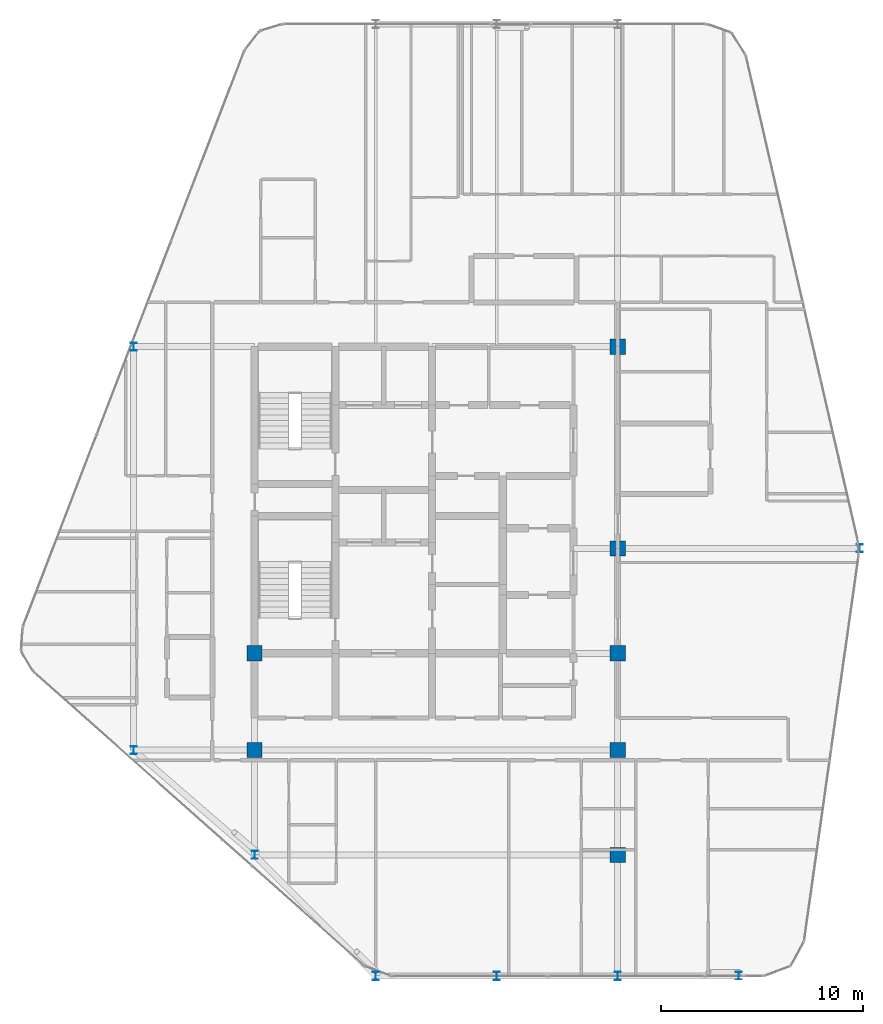
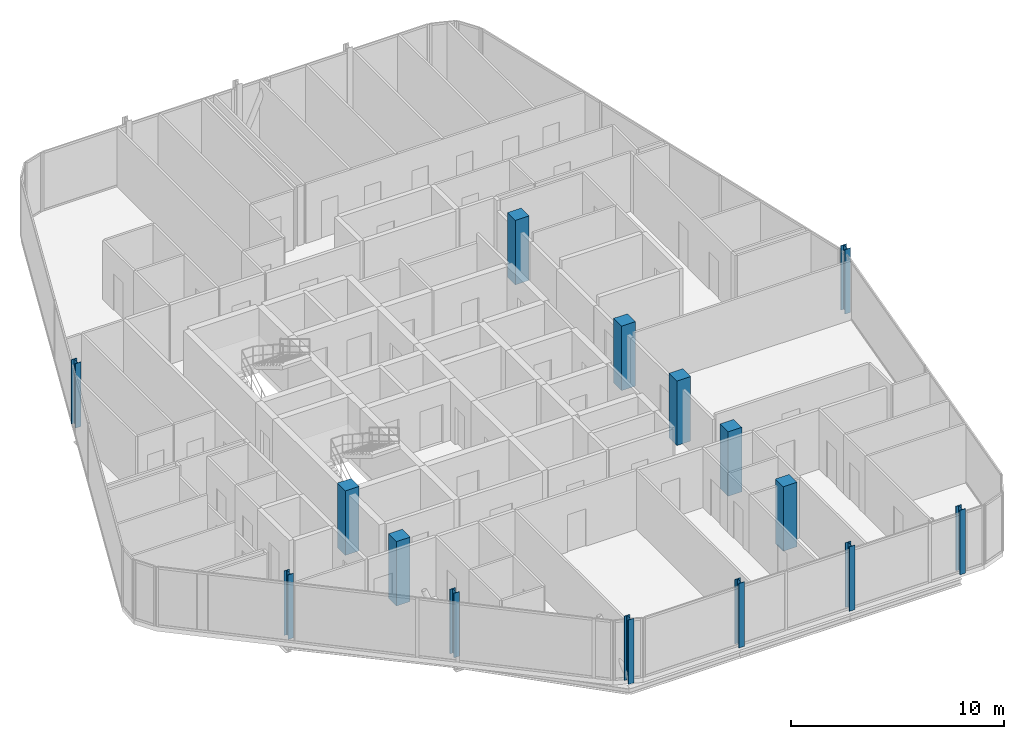
# One storey, part 1 of 31: 15 columns.
"""IFC4 building model written with IfcOpenShell, lengths in metres."""

from ifc_helpers import new_model, si_unit, direction, frame, origin, origin_2d, place, context, subcontext, project, spatial, rectangle, i_section, extrude, material, material_profile, profile_set, type_object, element, save


model = new_model("IFC4")

# Units and contexts
model_context = context("Model", 3, precision=1e-05, world=origin(), true_north=direction((0.0, 1.0)))
body_context = subcontext(model_context, "Body", "Model", "MODEL_VIEW")
ifc_project = project(units=[si_unit("LENGTHUNIT", "METRE"), si_unit("AREAUNIT", "SQUARE_METRE"), si_unit("VOLUMEUNIT", "CUBIC_METRE"), si_unit("PLANEANGLEUNIT", "RADIAN"), si_unit("MASSUNIT", "GRAM", prefix="KILO")], contexts=[model_context])

# Site, building, storey
site_placement = place(None, origin())
site = spatial("IfcSite", under=ifc_project, at=site_placement, CompositionType="ELEMENT")
building_placement = place(site_placement, origin())
building = spatial("IfcBuilding", under=site, at=building_placement, Name="Keshet Zoharim Tower", CompositionType="ELEMENT")
storey_placement = place(building_placement, frame((0.0, 0.0, 276.89990234375)))
storey = spatial("IfcBuildingStorey", under=building, at=storey_placement, Name="L69", CompositionType="ELEMENT", Elevation=276.89990234375)

# Columns
ifc_material_1 = material(Name="Steel S355", Category="steel")
ifc_material_profile_1 = material_profile(ifc_material_1, i_section(OverallWidth=0.300048828125, OverallDepth=0.39990234375, WebThickness=0.013427734375, FlangeThickness=0.02392578125, FilletRadius=0.027099609375, at=origin_2d()), Name="HEB400")
ifc_profile_set_1 = profile_set([ifc_material_profile_1], Name="Steel S355")
column_type_1 = type_object("IfcColumnType", Name="COL-HEB400", PredefinedType="COLUMN", material=ifc_profile_set_1)
for number, where, z_axis, x_axis, name in (
    (1, (9.0, 17.89990234375, 0.0), (0.0, 0.0, 1.0), (1.0, 0.0, 0.0), "L69 Column 2D"),
    (2, (9.0, 37.89990234375, 0.0), (0.0, 0.0, 1.0), (1.0, 0.0, 0.0), "L69 Column 2H"),
    (3, (15.0, 12.699951171875, 0.0), (0.0, 0.0, 1.0), (1.0, 0.0, 0.0), "L69 Column 3C"),
    (4, (21.0, 6.699951171875, 0.0), (0.0, 0.0, 1.0), (1.0, 0.0, 0.0), "L69 Column 4B"),
    (5, (27.0, 6.699951171875, 0.0), (0.0, 0.0, 1.0), (1.0, 0.0, 0.0), "L69 Column 5B"),
    (6, (33.0, 6.699951171875, 0.0), (0.0, 0.0, 1.0), (1.0, 0.0, 0.0), "L69 Column 6B"),
    (7, (39.0, 6.699951171875, 0.0), (0.0, 0.0, 1.0), (1.0, 0.0, 0.0), "L69 Column 7B"),
    (8, (45.0, 27.89990234375, 0.0), (0.0, 0.0, 1.0), (1.0, 0.0, 0.0), "L69 Column 8F"),
):
    element("IfcColumn", number, at=place(storey_placement, frame(where, z_axis=z_axis, x_axis=x_axis)), inside=storey, type_object=column_type_1, Name=name, PredefinedType="COLUMN", context=body_context, shape_type="SweptSolid", body=[
        extrude(i_section(OverallWidth=0.300048828125, OverallDepth=0.39990234375, WebThickness=0.013427734375, FlangeThickness=0.02392578125, FilletRadius=0.027099609375, at=origin_2d()), origin(), (0.0, 0.0, 1.0), 3.7001953125),
    ])
ifc_material_2 = material(Name="Concrete C50/60", Category="concrete")
ifc_material_profile_2 = material_profile(ifc_material_2, rectangle(XDim=0.75, YDim=0.75, at=origin_2d()), Name="RC750x750")
ifc_profile_set_2 = profile_set([ifc_material_profile_2], Name="Concrete C50/60")
column_type_2 = type_object("IfcColumnType", Name="COL-RC750", PredefinedType="COLUMN", material=ifc_profile_set_2)
for number, where, z_axis, x_axis, name in (
    (9, (15.0, 17.89990234375, 0.0), (0.0, 0.0, 1.0), (1.0, 0.0, 0.0), "L69 Column 3D"),
    (10, (15.0, 22.699951171875, 0.0), (0.0, 0.0, 1.0), (1.0, 0.0, 0.0), "L69 Column 3E"),
    (11, (33.0, 12.699951171875, 0.0), (0.0, 0.0, 1.0), (1.0, 0.0, 0.0), "L69 Column 6C"),
    (12, (33.0, 17.89990234375, 0.0), (0.0, 0.0, 1.0), (1.0, 0.0, 0.0), "L69 Column 6D"),
    (13, (33.0, 22.699951171875, 0.0), (0.0, 0.0, 1.0), (1.0, 0.0, 0.0), "L69 Column 6E"),
    (14, (33.0, 27.89990234375, 0.0), (0.0, 0.0, 1.0), (1.0, 0.0, 0.0), "L69 Column 6F"),
    (15, (33.0, 37.89990234375, 0.0), (0.0, 0.0, 1.0), (1.0, 0.0, 0.0), "L69 Column 6H"),
):
    element("IfcColumn", number, at=place(storey_placement, frame(where, z_axis=z_axis, x_axis=x_axis)), inside=storey, type_object=column_type_2, Name=name, PredefinedType="COLUMN", context=body_context, shape_type="SweptSolid", body=[
        extrude(rectangle(XDim=0.75, YDim=0.75, at=origin_2d()), origin(), (0.0, 0.0, 1.0), 3.7001953125),
    ])

save(model, "model.ifc")
